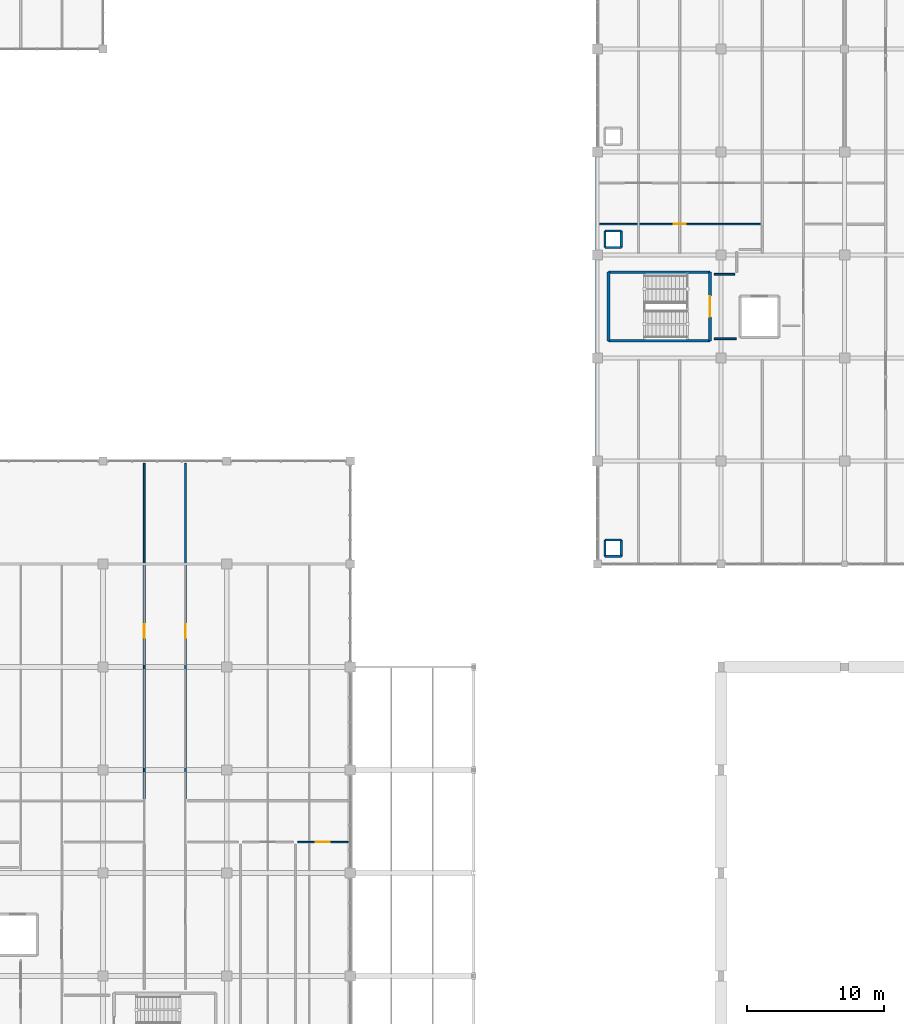
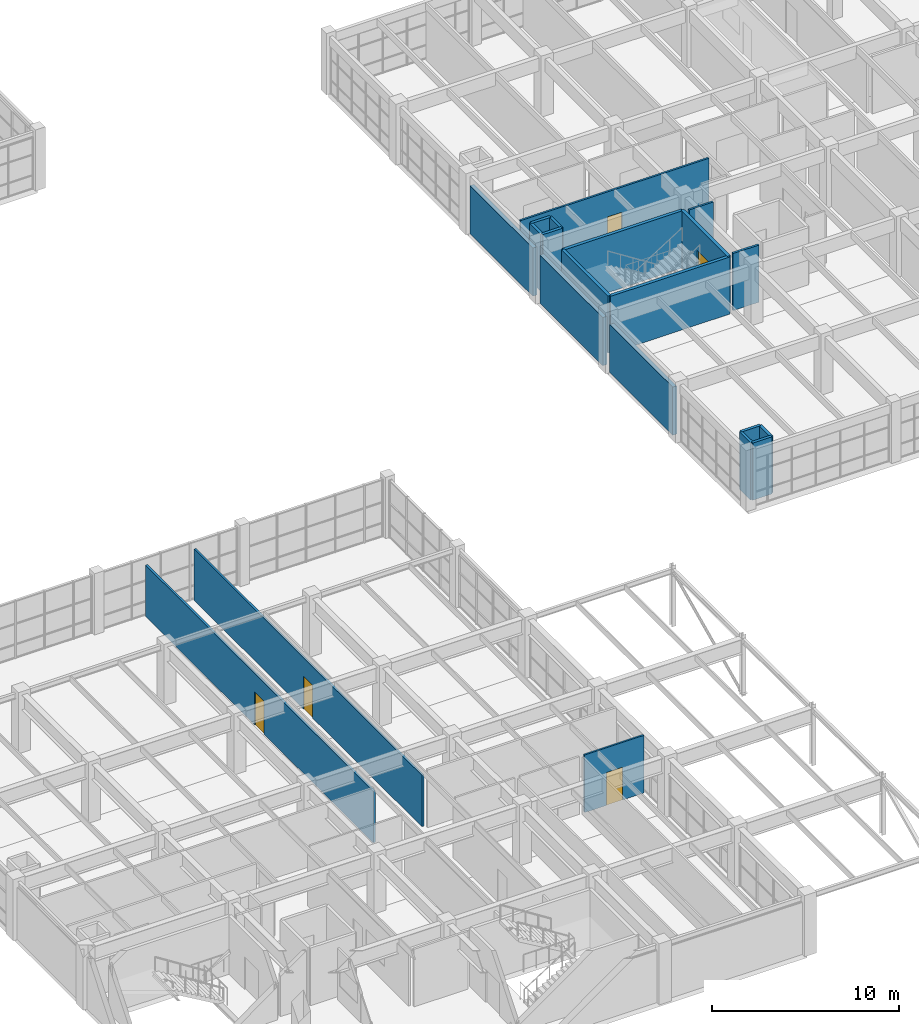
# One storey, part 66 of 76: 21 walls, 5 doors, 5 openings.
"""IFC4 building model written with IfcOpenShell, lengths in metres."""

from ifc_helpers import new_model, si_unit, direction, frame, frame_2d, origin, place, context, subcontext, project, spatial, rectangle, extrude, material, layer, layer_set, type_object, element, fill, save


model = new_model("IFC4")

# Units and contexts
model_context = context("Model", 3, precision=1e-05, world=origin(), true_north=direction((0.0, 1.0)))
body_context = subcontext(model_context, "Body", "Model", "MODEL_VIEW")
ifc_project = project(units=[si_unit("LENGTHUNIT", "METRE"), si_unit("AREAUNIT", "SQUARE_METRE"), si_unit("VOLUMEUNIT", "CUBIC_METRE"), si_unit("PLANEANGLEUNIT", "RADIAN"), si_unit("MASSUNIT", "GRAM", prefix="KILO")], contexts=[model_context])

# Site, building, storey
site_placement = place(None, origin())
site = spatial("IfcSite", under=ifc_project, at=site_placement, CompositionType="ELEMENT")
building_placement = place(site_placement, origin())
building = spatial("IfcBuilding", under=site, at=building_placement, Name="Marnridge Secondary College", CompositionType="ELEMENT")
storey_placement = place(building_placement, frame((0.0, 0.0, 4.5)))
storey = spatial("IfcBuildingStorey", under=building, at=storey_placement, Name="L01", CompositionType="ELEMENT", Elevation=4.5)

# Wall
ifc_material_1 = material(Name="Concrete C40/50 (AS 3600 N40, 40 MPa)", Category="concrete")
ifc_layer_1 = layer(ifc_material_1, 0.199951171875)
ifc_layer_set_1 = layer_set([ifc_layer_1], Name="WT-CORE-RC200")
wall_type_1 = type_object("IfcWallType", Name="WT-CORE-RC200", PredefinedType="SHEAR", material=ifc_layer_set_1)
wall_1_placement = place(storey_placement, frame((54.800048828125, 53.75, 0.0), z_axis=(0.0, 0.0, 1.0), x_axis=(1.0, 0.0, 0.0)))
element("IfcWall", 1, at=wall_1_placement, inside=storey, type_object=wall_type_1, Name="Stair core shear wall WC-L01-0253", PredefinedType="SHEAR", context=body_context, shape_type="SweptSolid", body=[
    extrude(rectangle(XDim=7.39990234375, YDim=0.199951171875, at=frame_2d((3.699951171875, 0.0))), origin(), (0.0, 0.0, 1.0), 3.739990234375),
])

# Wall, opening, door
wall_2_placement = place(storey_placement, frame((62.199951171875, 53.75, 0.0), z_axis=(0.0, 0.0, 1.0), x_axis=(0.0, 1.0, 0.0)))
wall_2 = element("IfcWall", 2, at=wall_2_placement, inside=storey, type_object=wall_type_1, Name="Stair core shear wall WC-L01-0254", PredefinedType="SHEAR", context=body_context, shape_type="SweptSolid", body=[
    extrude(rectangle(XDim=5.0, YDim=0.199951171875, at=frame_2d((2.5, 0.0))), origin(), (0.0, 0.0, 1.0), 3.739990234375),
])
opening_1_placement = place(wall_2_placement, frame((1.75, 0.0, 0.0)))
opening_1 = element("IfcOpeningElement", 3, at=opening_1_placement, cuts=wall_2, Name="Opening DC-L01-002", PredefinedType="OPENING", context=body_context, shape_type="SweptSolid", body=[
    extrude(rectangle(XDim=1.5, YDim=2.14990234375, at=frame_2d((0.75, 1.074951171875))), frame((0.0, 0.10986328125, 0.0), z_axis=(0.0, -1.0, 0.0), x_axis=(1.0, 0.0, 0.0)), (0.0, 0.0, 1.0), 0.219970703125),
])
ifc_material_2 = material(Name="Fire-rated solid-core timber doorset", Category="wood")
door_type_1 = type_object("IfcDoorType", Name="DT-CORE-FD150", OperationType="DOUBLE_DOOR_SINGLE_SWING", PredefinedType="DOOR", material=ifc_material_2)
door_1_placement = place(opening_1_placement, origin())
door_1 = element("IfcDoor", 4, at=door_1_placement, inside=storey, type_object=door_type_1, Name="Fire stair door DC-L01-002", OperationType="DOUBLE_DOOR_SINGLE_SWING", OverallHeight=2.14990234375, OverallWidth=1.5, PredefinedType="DOOR", context=body_context, shape_type="SweptSolid", body=[
    extrude(rectangle(XDim=1.5, YDim=2.14990234375, at=frame_2d((0.75, 1.074951171875))), frame((0.0, 0.02490234375, 0.0), z_axis=(0.0, -1.0, 0.0), x_axis=(1.0, 0.0, 0.0)), (0.0, 0.0, 1.0), 0.050048828125),
])
fill(opening_1, door_1)

# Walls
wall_3_placement = place(storey_placement, frame((62.199951171875, 58.75, 0.0), z_axis=(0.0, 0.0, 1.0), x_axis=(-1.0, 0.0, 0.0)))
element("IfcWall", 5, at=wall_3_placement, inside=storey, type_object=wall_type_1, Name="Stair core shear wall WC-L01-0255", PredefinedType="SHEAR", context=body_context, shape_type="SweptSolid", body=[
    extrude(rectangle(XDim=7.39990234375, YDim=0.199951171875, at=frame_2d((3.699951171875, 0.0))), origin(), (0.0, 0.0, 1.0), 3.739990234375),
])
wall_4_placement = place(storey_placement, frame((54.800048828125, 58.75, 0.0), z_axis=(0.0, 0.0, 1.0), x_axis=(0.0, -1.0, 0.0)))
element("IfcWall", 6, at=wall_4_placement, inside=storey, type_object=wall_type_1, Name="Stair core shear wall WC-L01-0256", PredefinedType="SHEAR", context=body_context, shape_type="SweptSolid", body=[
    extrude(rectangle(XDim=5.0, YDim=0.199951171875, at=frame_2d((2.5, 0.0))), origin(), (0.0, 0.0, 1.0), 3.739990234375),
])
ifc_material_3 = material(Name="Concrete C40/50 (AS 3600 N40, 40 MPa)", Category="concrete")
ifc_layer_2 = layer(ifc_material_3, 0.25)
ifc_layer_set_2 = layer_set([ifc_layer_2], Name="WT-EXT-RC250")
wall_type_2 = type_object("IfcWallType", Name="WT-EXT-RC250", PredefinedType="SOLIDWALL", material=ifc_layer_set_2)
for number, where, z_axis, x_axis, name in (
    (7, (54.0, 45.37109375, 0.0), (0.0, 0.0, 1.0), (0.0, 1.0, 0.0), "Exterior wall WE-L01-0085"),
    (8, (54.0, 52.87109375, 0.0), (0.0, 0.0, 1.0), (0.0, 1.0, 0.0), "Exterior wall WE-L01-0086"),
    (9, (54.0, 60.37109375, 0.0), (0.0, 0.0, 1.0), (0.0, 1.0, 0.0), "Exterior wall WE-L01-0087"),
):
    element("IfcWall", number, at=place(storey_placement, frame(where, z_axis=z_axis, x_axis=x_axis)), inside=storey, type_object=wall_type_2, Name=name, PredefinedType="SOLIDWALL", context=body_context, shape_type="SweptSolid", body=[
        extrude(rectangle(XDim=6.7578125, YDim=0.25, at=frame_2d((3.37890625, 0.0))), origin(), (0.0, 0.0, 1.0), 3.14697265625),
    ])
ifc_material_4 = material(Name="Acoustic plasterboard partition Rw45", Category="gypsum")
ifc_layer_3 = layer(ifc_material_4, 0.1201171875)
ifc_layer_set_3 = layer_set([ifc_layer_3], Name="WT-PART-AC120")
wall_type_3 = type_object("IfcWallType", Name="WT-PART-AC120", PredefinedType="PARTITIONING", material=ifc_layer_set_3)
wall_5_placement = place(storey_placement, frame((62.5, 58.60009765625, 0.0), z_axis=(0.0, 0.0, 1.0), x_axis=(1.0, 0.0, 0.0)))
element("IfcWall", 10, at=wall_5_placement, inside=storey, type_object=wall_type_3, Name="Interior partition WP-L01-0139", PredefinedType="PARTITIONING", context=body_context, shape_type="SweptSolid", body=[
    extrude(rectangle(XDim=1.489990234375, YDim=0.1201171875, at=frame_2d((0.7451171875, 0.0))), origin(), (0.0, 0.0, 1.0), 3.739990234375),
])

# Wall, opening, door
wall_6_placement = place(storey_placement, frame((65.840087890625, 62.25, 0.0), z_axis=(0.0, 0.0, 1.0), x_axis=(-1.0, 0.0, 0.0)))
wall_6 = element("IfcWall", 11, at=wall_6_placement, inside=storey, type_object=wall_type_3, Name="Interior partition WP-L01-0143", PredefinedType="PARTITIONING", context=body_context, shape_type="SweptSolid", body=[
    extrude(rectangle(XDim=11.68017578125, YDim=0.1201171875, at=frame_2d((5.840087890625, 0.0))), origin(), (0.0, 0.0, 1.0), 3.739990234375),
])
opening_2_placement = place(wall_6_placement, frame((5.39501953125, 0.0, 0.0)))
opening_2 = element("IfcOpeningElement", 12, at=opening_2_placement, cuts=wall_6, Name="Opening DI-L01-0050", PredefinedType="OPENING", context=body_context, shape_type="SweptSolid", body=[
    extrude(rectangle(XDim=0.889892578125, YDim=2.10009765625, at=frame_2d((0.44482421875, 1.050048828125))), frame((0.0, 0.070068359375, 0.0), z_axis=(0.0, -1.0, 0.0), x_axis=(1.0, 0.0, 0.0)), (0.0, 0.0, 1.0), 0.14013671875),
])
ifc_material_5 = material(Name="Solid-core acoustic hoop-pine classroom doorset", Category="wood")
door_type_2 = type_object("IfcDoorType", Name="DT-RM-VAR02", OperationType="NOTDEFINED", PredefinedType="DOOR", material=ifc_material_5)
door_2_placement = place(opening_2_placement, origin())
door_2 = element("IfcDoor", 13, at=door_2_placement, inside=storey, type_object=door_type_2, Name="Interior door DI-L01-0050", OperationType="SINGLE_SWING_RIGHT", OverallHeight=2.10009765625, OverallWidth=0.889892578125, PredefinedType="DOOR", context=body_context, shape_type="SweptSolid", body=[
    extrude(rectangle(XDim=0.889892578125, YDim=2.10009765625, at=frame_2d((0.44482421875, 1.050048828125))), frame((0.0, 0.02490234375, 0.0), z_axis=(0.0, -1.0, 0.0), x_axis=(1.0, 0.0, 0.0)), (0.0, 0.0, 1.0), 0.050048828125),
])
fill(opening_2, door_2)

wall_7_placement = place(storey_placement, frame((24.0, 44.840087890625, 0.0), z_axis=(0.0, 0.0, 1.0), x_axis=(0.0, -1.0, 0.0)))
wall_7 = element("IfcWall", 14, at=wall_7_placement, inside=storey, type_object=wall_type_3, Name="Interior partition WP-L01-0227", PredefinedType="PARTITIONING", context=body_context, shape_type="SweptSolid", body=[
    extrude(rectangle(XDim=24.43017578125, YDim=0.1201171875, at=frame_2d((12.215087890625, 0.0))), origin(), (0.0, 0.0, 1.0), 3.362060546875),
])
opening_3_placement = place(wall_7_placement, frame((11.715087890625, 0.0, 0.0)))
opening_3 = element("IfcOpeningElement", 15, at=opening_3_placement, cuts=wall_7, Name="Opening DI-L01-0080", PredefinedType="OPENING", context=body_context, shape_type="SweptSolid", body=[
    extrude(rectangle(XDim=1.0, YDim=2.14990234375, at=frame_2d((0.5, 1.074951171875))), frame((0.0, 0.070068359375, 0.0), z_axis=(0.0, -1.0, 0.0), x_axis=(1.0, 0.0, 0.0)), (0.0, 0.0, 1.0), 0.14013671875),
])
ifc_material_6 = material(Name="Solid-core acoustic hoop-pine classroom doorset", Category="wood")
door_type_3 = type_object("IfcDoorType", Name="DT-CLS-100", OperationType="NOTDEFINED", PredefinedType="DOOR", material=ifc_material_6)
door_3_placement = place(opening_3_placement, origin())
door_3 = element("IfcDoor", 16, at=door_3_placement, inside=storey, type_object=door_type_3, Name="Interior door DI-L01-0080", OperationType="SINGLE_SWING_RIGHT", OverallHeight=2.14990234375, OverallWidth=1.0, PredefinedType="DOOR", context=body_context, shape_type="SweptSolid", body=[
    extrude(rectangle(XDim=1.0, YDim=2.14990234375, at=frame_2d((0.5, 1.074951171875))), frame((0.0, 0.02490234375, 0.0), z_axis=(0.0, -1.0, 0.0), x_axis=(1.0, 0.0, 0.0)), (0.0, 0.0, 1.0), 0.050048828125),
])
fill(opening_3, door_3)

# Wall
ifc_material_7 = material(Name="Acoustic plasterboard partition Rw48", Category="gypsum")
ifc_layer_4 = layer(ifc_material_7, 0.135009765625)
ifc_layer_set_4 = layer_set([ifc_layer_4], Name="WT-PART-AC135")
wall_type_4 = type_object("IfcWallType", Name="WT-PART-AC135", PredefinedType="PARTITIONING", material=ifc_layer_set_4)
wall_8_placement = place(storey_placement, frame((64.10009765625, 53.89990234375, 0.0), z_axis=(0.0, 0.0, 1.0), x_axis=(-1.0, 0.0, 0.0)))
element("IfcWall", 17, at=wall_8_placement, inside=storey, type_object=wall_type_4, Name="Interior partition WP-L01-0134", PredefinedType="PARTITIONING", context=body_context, shape_type="SweptSolid", body=[
    extrude(rectangle(XDim=1.60009765625, YDim=0.135009765625, at=frame_2d((0.800048828125, 0.0))), origin(), (0.0, 0.0, 1.0), 3.739990234375),
])

# Wall, opening, door
wall_9_placement = place(storey_placement, frame((21.0, 20.409912109375, 0.0), z_axis=(0.0, 0.0, 1.0), x_axis=(0.0, 1.0, 0.0)))
wall_9 = element("IfcWall", 18, at=wall_9_placement, inside=storey, type_object=wall_type_4, Name="Interior partition WP-L01-0226", PredefinedType="PARTITIONING", context=body_context, shape_type="SweptSolid", body=[
    extrude(rectangle(XDim=24.43017578125, YDim=0.135009765625, at=frame_2d((12.215087890625, 0.0))), origin(), (0.0, 0.0, 1.0), 3.362060546875),
])
opening_4_placement = place(wall_9_placement, frame((11.715087890625, 0.0, 0.0)))
opening_4 = element("IfcOpeningElement", 19, at=opening_4_placement, cuts=wall_9, Name="Opening DI-L01-0079", PredefinedType="OPENING", context=body_context, shape_type="SweptSolid", body=[
    extrude(rectangle(XDim=1.0, YDim=2.14990234375, at=frame_2d((0.5, 1.074951171875))), frame((0.0, 0.077392578125, 0.0), z_axis=(0.0, -1.0, 0.0), x_axis=(1.0, 0.0, 0.0)), (0.0, 0.0, 1.0), 0.155029296875),
])
door_4_placement = place(opening_4_placement, origin())
door_4 = element("IfcDoor", 20, at=door_4_placement, inside=storey, type_object=door_type_3, Name="Interior door DI-L01-0079", OperationType="SINGLE_SWING_LEFT", OverallHeight=2.14990234375, OverallWidth=1.0, PredefinedType="DOOR", context=body_context, shape_type="SweptSolid", body=[
    extrude(rectangle(XDim=1.0, YDim=2.14990234375, at=frame_2d((0.5, 1.074951171875))), frame((0.0, 0.02490234375, 0.0), z_axis=(0.0, -1.0, 0.0), x_axis=(1.0, 0.0, 0.0)), (0.0, 0.0, 1.0), 0.050048828125),
])
fill(opening_4, door_4)

ifc_material_8 = material(Name="Moisture-resistant plasterboard sanitary partition", Category="gypsum")
ifc_layer_5 = layer(ifc_material_8, 0.110107421875)
ifc_layer_set_5 = layer_set([ifc_layer_5], Name="WT-PART-WT110")
wall_type_5 = type_object("IfcWallType", Name="WT-PART-WT110", PredefinedType="PARTITIONING", material=ifc_layer_set_5)
wall_10_placement = place(storey_placement, frame((35.840087890625, 17.25, 0.0), z_axis=(0.0, 0.0, 1.0), x_axis=(-1.0, 0.0, 0.0)))
wall_10 = element("IfcWall", 21, at=wall_10_placement, inside=storey, type_object=wall_type_5, Name="Interior partition WP-L01-0211", PredefinedType="PARTITIONING", context=body_context, shape_type="SweptSolid", body=[
    extrude(rectangle(XDim=3.68017578125, YDim=0.110107421875, at=frame_2d((1.840087890625, 0.0))), origin(), (0.0, 0.0, 1.0), 3.77001953125),
])
opening_5_placement = place(wall_10_placement, frame((1.340087890625, 0.0, 0.0)))
opening_5 = element("IfcOpeningElement", 22, at=opening_5_placement, cuts=wall_10, Name="Opening DI-L01-0075", PredefinedType="OPENING", context=body_context, shape_type="SweptSolid", body=[
    extrude(rectangle(XDim=1.0, YDim=2.14990234375, at=frame_2d((0.5, 1.074951171875))), frame((0.0, 0.06494140625, 0.0), z_axis=(0.0, -1.0, 0.0), x_axis=(1.0, 0.0, 0.0)), (0.0, 0.0, 1.0), 0.130126953125),
])
door_5_placement = place(opening_5_placement, origin())
door_5 = element("IfcDoor", 23, at=door_5_placement, inside=storey, type_object=door_type_3, Name="Interior door DI-L01-0075", OperationType="SINGLE_SWING_LEFT", OverallHeight=2.14990234375, OverallWidth=1.0, PredefinedType="DOOR", context=body_context, shape_type="SweptSolid", body=[
    extrude(rectangle(XDim=1.0, YDim=2.14990234375, at=frame_2d((0.5, 1.074951171875))), frame((0.0, 0.02490234375, 0.0), z_axis=(0.0, -1.0, 0.0), x_axis=(1.0, 0.0, 0.0)), (0.0, 0.0, 1.0), 0.050048828125),
])
fill(opening_5, door_5)

# Walls
ifc_material_9 = material(Name="Concrete C40/50 (AS 3600 N40, 40 MPa)", Category="concrete")
ifc_layer_6 = layer(ifc_material_9, 0.179931640625)
ifc_layer_set_6 = layer_set([ifc_layer_6], Name="WT-SHAFT-RC180")
wall_type_6 = type_object("IfcWallType", Name="WT-SHAFT-RC180", PredefinedType="SHEAR", material=ifc_layer_set_6)
for number, where, z_axis, x_axis, name in (
    (24, (55.75, 38.050048828125, 0.0), (0.0, 0.0, 1.0), (-1.0, 0.0, 0.0), "Service riser shaft wall WR-L01-0057"),
    (25, (54.550048828125, 38.050048828125, 0.0), (0.0, 0.0, 1.0), (0.0, 1.0, 0.0), "Service riser shaft wall WR-L01-0058"),
    (26, (54.550048828125, 39.25, 0.0), (0.0, 0.0, 1.0), (1.0, 0.0, 0.0), "Service riser shaft wall WR-L01-0059"),
    (27, (55.75, 39.25, 0.0), (0.0, 0.0, 1.0), (0.0, -1.0, 0.0), "Service riser shaft wall WR-L01-0060"),
    (28, (55.75, 60.550048828125, 0.0), (0.0, 0.0, 1.0), (-1.0, 0.0, 0.0), "Service riser shaft wall WR-L01-0061"),
    (29, (54.550048828125, 60.550048828125, 0.0), (0.0, 0.0, 1.0), (0.0, 1.0, 0.0), "Service riser shaft wall WR-L01-0062"),
    (30, (54.550048828125, 61.75, 0.0), (0.0, 0.0, 1.0), (1.0, 0.0, 0.0), "Service riser shaft wall WR-L01-0063"),
    (31, (55.75, 61.75, 0.0), (0.0, 0.0, 1.0), (0.0, -1.0, 0.0), "Service riser shaft wall WR-L01-0064"),
):
    element("IfcWall", number, at=place(storey_placement, frame(where, z_axis=z_axis, x_axis=x_axis)), inside=storey, type_object=wall_type_6, Name=name, PredefinedType="SHEAR", context=body_context, shape_type="SweptSolid", body=[
        extrude(rectangle(XDim=1.199951171875, YDim=0.179931640625, at=frame_2d((0.60009765625, 0.0))), origin(), (0.0, 0.0, 1.0), 3.739990234375),
    ])

save(model, "model.ifc")
